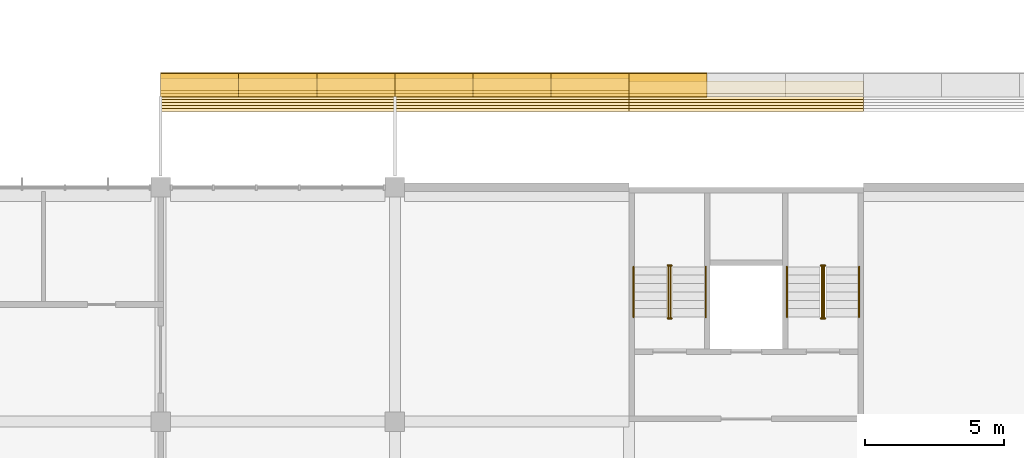
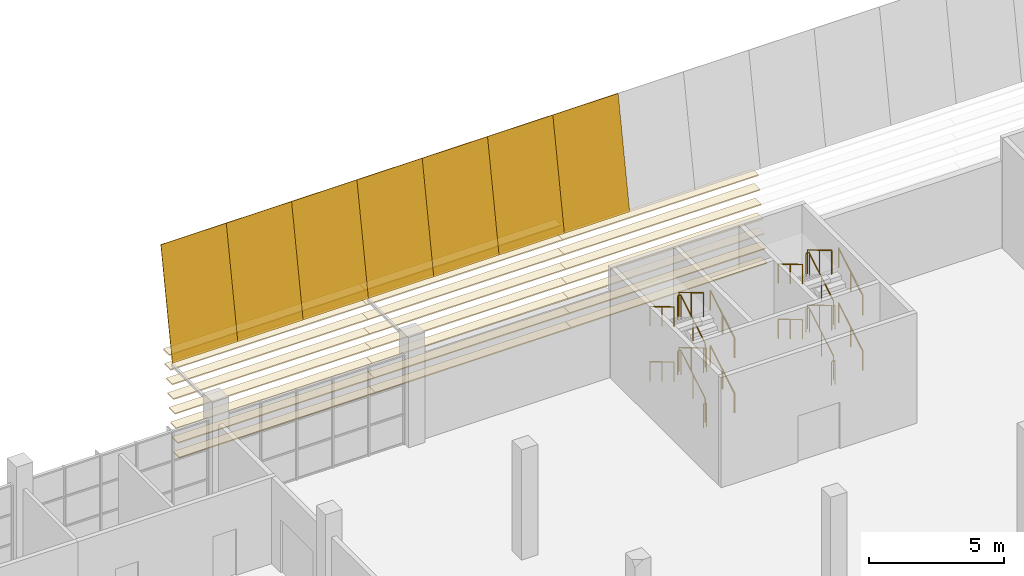
# One storey, part 74 of 82: 30 coverings, 24 railings.
"""IFC4 building model written with IfcOpenShell, lengths in metres."""

from ifc_helpers import new_model, si_unit, direction, frame, origin, origin_2d, place, context, subcontext, project, spatial, polyline, rectangle, circle, outline, extrude, material, layer, layer_set, material_profile, profile_set, type_object, element, save


model = new_model("IFC4")

# Units and contexts
model_context = context("Model", 3, precision=1e-05, world=origin(), true_north=direction((0.0, 1.0)))
body_context = subcontext(model_context, "Body", "Model", "MODEL_VIEW")
ifc_project = project(units=[si_unit("LENGTHUNIT", "METRE"), si_unit("AREAUNIT", "SQUARE_METRE"), si_unit("VOLUMEUNIT", "CUBIC_METRE"), si_unit("PLANEANGLEUNIT", "RADIAN"), si_unit("MASSUNIT", "GRAM", prefix="KILO")], contexts=[model_context])

# Site, building, storey
site_placement = place(None, origin())
site = spatial("IfcSite", under=ifc_project, at=site_placement, CompositionType="ELEMENT")
building_placement = place(site_placement, origin())
building = spatial("IfcBuilding", under=site, at=building_placement, Name="Almond Square Museum", CompositionType="ELEMENT")
storey_placement = place(building_placement, frame((0.0, 0.0, 20.0)))
storey = spatial("IfcBuildingStorey", under=building, at=storey_placement, Name="L03", CompositionType="ELEMENT", Elevation=20.0)

# Coverings
ifc_material_1 = material(Name="Cedar timber louvre board", Category="wood")
ifc_material_profile = material_profile(ifc_material_1, rectangle(XDim=0.449951171875, YDim=0.050048828125, at=origin_2d()))
ifc_profile_set = profile_set([ifc_material_profile], Name="Cedar timber louvre board")
covering_type_1 = type_object("IfcCoveringType", Name="Louvre board 450 x 50", PredefinedType="CLADDING", material=ifc_profile_set)
covering_1_placement = place(storey_placement, frame((106.800048828125, 112.1513671875, 0.5), z_axis=(1.0, 0.0, 0.0), x_axis=(0.0, 1.0, 0.0)))
element("IfcCovering", 1, at=covering_1_placement, inside=storey, type_object=covering_type_1, Name="Louvre board N23.01", PredefinedType="CLADDING", context=body_context, shape_type="SweptSolid", body=[
    extrude(rectangle(XDim=0.449951171875, YDim=0.050048828125, at=origin_2d()), origin(), (0.0, 0.0, 1.0), 8.39990234375),
])
covering_2_placement = place(storey_placement, frame((115.199951171875, 112.1513671875, 0.5), z_axis=(1.0, 0.0, 0.0), x_axis=(0.0, 1.0, 0.0)))
element("IfcCovering", 2, at=covering_2_placement, inside=storey, type_object=covering_type_1, Name="Louvre board N23.02", PredefinedType="CLADDING", context=body_context, shape_type="SweptSolid", body=[
    extrude(rectangle(XDim=0.449951171875, YDim=0.050048828125, at=origin_2d()), origin(), (0.0, 0.0, 1.0), 8.400146484375),
])
for number, where, z_axis, x_axis, name in (
    (3, (123.60009765625, 112.1513671875, 0.5), (1.0, 0.0, 0.0), (0.0, 1.0, 0.0), "Louvre board N23.03"),
    (4, (106.800048828125, 112.257080078125, 1.10009765625), (1.0, 0.0, 0.0), (0.0, 1.0, 0.0), "Louvre board N24.01"),
):
    element("IfcCovering", number, at=place(storey_placement, frame(where, z_axis=z_axis, x_axis=x_axis)), inside=storey, type_object=covering_type_1, Name=name, PredefinedType="CLADDING", context=body_context, shape_type="SweptSolid", body=[
        extrude(rectangle(XDim=0.449951171875, YDim=0.050048828125, at=origin_2d()), origin(), (0.0, 0.0, 1.0), 8.39990234375),
    ])
covering_3_placement = place(storey_placement, frame((115.199951171875, 112.257080078125, 1.10009765625), z_axis=(1.0, 0.0, 0.0), x_axis=(0.0, 1.0, 0.0)))
element("IfcCovering", 5, at=covering_3_placement, inside=storey, type_object=covering_type_1, Name="Louvre board N24.02", PredefinedType="CLADDING", context=body_context, shape_type="SweptSolid", body=[
    extrude(rectangle(XDim=0.449951171875, YDim=0.050048828125, at=origin_2d()), origin(), (0.0, 0.0, 1.0), 8.400146484375),
])
for number, where, z_axis, x_axis, name in (
    (6, (123.60009765625, 112.257080078125, 1.10009765625), (1.0, 0.0, 0.0), (0.0, 1.0, 0.0), "Louvre board N24.03"),
    (7, (106.800048828125, 112.363037109375, 1.699951171875), (1.0, 0.0, 0.0), (0.0, 1.0, 0.0), "Louvre board N25.01"),
):
    element("IfcCovering", number, at=place(storey_placement, frame(where, z_axis=z_axis, x_axis=x_axis)), inside=storey, type_object=covering_type_1, Name=name, PredefinedType="CLADDING", context=body_context, shape_type="SweptSolid", body=[
        extrude(rectangle(XDim=0.449951171875, YDim=0.050048828125, at=origin_2d()), origin(), (0.0, 0.0, 1.0), 8.39990234375),
    ])
covering_4_placement = place(storey_placement, frame((115.199951171875, 112.363037109375, 1.699951171875), z_axis=(1.0, 0.0, 0.0), x_axis=(0.0, 1.0, 0.0)))
element("IfcCovering", 8, at=covering_4_placement, inside=storey, type_object=covering_type_1, Name="Louvre board N25.02", PredefinedType="CLADDING", context=body_context, shape_type="SweptSolid", body=[
    extrude(rectangle(XDim=0.449951171875, YDim=0.050048828125, at=origin_2d()), origin(), (0.0, 0.0, 1.0), 8.400146484375),
])
for number, where, z_axis, x_axis, name in (
    (9, (123.60009765625, 112.363037109375, 1.699951171875), (1.0, 0.0, 0.0), (0.0, 1.0, 0.0), "Louvre board N25.03"),
    (10, (106.800048828125, 112.46875, 2.300048828125), (1.0, 0.0, 0.0), (0.0, 1.0, 0.0), "Louvre board N26.01"),
):
    element("IfcCovering", number, at=place(storey_placement, frame(where, z_axis=z_axis, x_axis=x_axis)), inside=storey, type_object=covering_type_1, Name=name, PredefinedType="CLADDING", context=body_context, shape_type="SweptSolid", body=[
        extrude(rectangle(XDim=0.449951171875, YDim=0.050048828125, at=origin_2d()), origin(), (0.0, 0.0, 1.0), 8.39990234375),
    ])
covering_5_placement = place(storey_placement, frame((115.199951171875, 112.46875, 2.300048828125), z_axis=(1.0, 0.0, 0.0), x_axis=(0.0, 1.0, 0.0)))
element("IfcCovering", 11, at=covering_5_placement, inside=storey, type_object=covering_type_1, Name="Louvre board N26.02", PredefinedType="CLADDING", context=body_context, shape_type="SweptSolid", body=[
    extrude(rectangle(XDim=0.449951171875, YDim=0.050048828125, at=origin_2d()), origin(), (0.0, 0.0, 1.0), 8.400146484375),
])
for number, where, z_axis, x_axis, name in (
    (12, (123.60009765625, 112.46875, 2.300048828125), (1.0, 0.0, 0.0), (0.0, 1.0, 0.0), "Louvre board N26.03"),
    (13, (106.800048828125, 112.574462890625, 2.89990234375), (1.0, 0.0, 0.0), (0.0, 1.0, 0.0), "Louvre board N27.01"),
):
    element("IfcCovering", number, at=place(storey_placement, frame(where, z_axis=z_axis, x_axis=x_axis)), inside=storey, type_object=covering_type_1, Name=name, PredefinedType="CLADDING", context=body_context, shape_type="SweptSolid", body=[
        extrude(rectangle(XDim=0.449951171875, YDim=0.050048828125, at=origin_2d()), origin(), (0.0, 0.0, 1.0), 8.39990234375),
    ])
covering_6_placement = place(storey_placement, frame((115.199951171875, 112.574462890625, 2.89990234375), z_axis=(1.0, 0.0, 0.0), x_axis=(0.0, 1.0, 0.0)))
element("IfcCovering", 14, at=covering_6_placement, inside=storey, type_object=covering_type_1, Name="Louvre board N27.02", PredefinedType="CLADDING", context=body_context, shape_type="SweptSolid", body=[
    extrude(rectangle(XDim=0.449951171875, YDim=0.050048828125, at=origin_2d()), origin(), (0.0, 0.0, 1.0), 8.400146484375),
])
for number, where, z_axis, x_axis, name in (
    (15, (123.60009765625, 112.574462890625, 2.89990234375), (1.0, 0.0, 0.0), (0.0, 1.0, 0.0), "Louvre board N27.03"),
    (16, (106.800048828125, 112.680419921875, 3.5), (1.0, 0.0, 0.0), (0.0, 1.0, 0.0), "Louvre board N28.01"),
):
    element("IfcCovering", number, at=place(storey_placement, frame(where, z_axis=z_axis, x_axis=x_axis)), inside=storey, type_object=covering_type_1, Name=name, PredefinedType="CLADDING", context=body_context, shape_type="SweptSolid", body=[
        extrude(rectangle(XDim=0.449951171875, YDim=0.050048828125, at=origin_2d()), origin(), (0.0, 0.0, 1.0), 8.39990234375),
    ])
covering_7_placement = place(storey_placement, frame((115.199951171875, 112.680419921875, 3.5), z_axis=(1.0, 0.0, 0.0), x_axis=(0.0, 1.0, 0.0)))
element("IfcCovering", 17, at=covering_7_placement, inside=storey, type_object=covering_type_1, Name="Louvre board N28.02", PredefinedType="CLADDING", context=body_context, shape_type="SweptSolid", body=[
    extrude(rectangle(XDim=0.449951171875, YDim=0.050048828125, at=origin_2d()), origin(), (0.0, 0.0, 1.0), 8.400146484375),
])
for number, where, z_axis, x_axis, name in (
    (18, (123.60009765625, 112.680419921875, 3.5), (1.0, 0.0, 0.0), (0.0, 1.0, 0.0), "Louvre board N28.03"),
    (19, (106.800048828125, 112.7861328125, 4.10009765625), (1.0, 0.0, 0.0), (0.0, 1.0, 0.0), "Louvre board N29.01"),
):
    element("IfcCovering", number, at=place(storey_placement, frame(where, z_axis=z_axis, x_axis=x_axis)), inside=storey, type_object=covering_type_1, Name=name, PredefinedType="CLADDING", context=body_context, shape_type="SweptSolid", body=[
        extrude(rectangle(XDim=0.449951171875, YDim=0.050048828125, at=origin_2d()), origin(), (0.0, 0.0, 1.0), 8.39990234375),
    ])
covering_8_placement = place(storey_placement, frame((115.199951171875, 112.7861328125, 4.10009765625), z_axis=(1.0, 0.0, 0.0), x_axis=(0.0, 1.0, 0.0)))
element("IfcCovering", 20, at=covering_8_placement, inside=storey, type_object=covering_type_1, Name="Louvre board N29.02", PredefinedType="CLADDING", context=body_context, shape_type="SweptSolid", body=[
    extrude(rectangle(XDim=0.449951171875, YDim=0.050048828125, at=origin_2d()), origin(), (0.0, 0.0, 1.0), 8.400146484375),
])
for number, where, z_axis, x_axis, name in (
    (21, (123.60009765625, 112.7861328125, 4.10009765625), (1.0, 0.0, 0.0), (0.0, 1.0, 0.0), "Louvre board N29.03"),
    (22, (106.800048828125, 112.891845703125, 4.699951171875), (1.0, 0.0, 0.0), (0.0, 1.0, 0.0), "Louvre board N30.01"),
):
    element("IfcCovering", number, at=place(storey_placement, frame(where, z_axis=z_axis, x_axis=x_axis)), inside=storey, type_object=covering_type_1, Name=name, PredefinedType="CLADDING", context=body_context, shape_type="SweptSolid", body=[
        extrude(rectangle(XDim=0.449951171875, YDim=0.050048828125, at=origin_2d()), origin(), (0.0, 0.0, 1.0), 8.39990234375),
    ])
covering_9_placement = place(storey_placement, frame((115.199951171875, 112.891845703125, 4.699951171875), z_axis=(1.0, 0.0, 0.0), x_axis=(0.0, 1.0, 0.0)))
element("IfcCovering", 23, at=covering_9_placement, inside=storey, type_object=covering_type_1, Name="Louvre board N30.02", PredefinedType="CLADDING", context=body_context, shape_type="SweptSolid", body=[
    extrude(rectangle(XDim=0.449951171875, YDim=0.050048828125, at=origin_2d()), origin(), (0.0, 0.0, 1.0), 8.400146484375),
])
ifc_material_2 = material(Name="Cedar timber sheathing panel", Category="wood")
ifc_layer = layer(ifc_material_2, 0.030029296875)
ifc_layer_set = layer_set([ifc_layer], Name="Cedar timber sheathing panel")
covering_type_2 = type_object("IfcCoveringType", Name="Louvre rain-screen backing panel 30", PredefinedType="CLADDING", material=ifc_layer_set)
covering_10_placement = place(storey_placement, frame((106.800048828125, 112.4462890625, 4.469970703125), z_axis=(0.0, -0.984808947576, 0.173641402823), x_axis=(1.0, 0.0, 0.0)))
element("IfcCovering", 24, at=covering_10_placement, inside=storey, type_object=covering_type_2, Name="Louvre rain-screen backing panel N01.06", PredefinedType="CLADDING", context=body_context, shape_type="SweptSolid", body=[
    extrude(outline(polyline([(0.0, 0.0), (2.800048828125, 0.0), (2.800048828125, 4.935076426587713), (0.0, 4.935076426587713), (0.0, 0.0)])), frame((0.0, 0.0, -0.01513671875)), (0.0, 0.0, 1.0), 0.030029296875),
])
covering_11_placement = place(storey_placement, frame((109.60009765625, 112.4462890625, 4.469970703125), z_axis=(0.0, -0.984808947576, 0.173641402823), x_axis=(1.0, 0.0, 0.0)))
element("IfcCovering", 25, at=covering_11_placement, inside=storey, type_object=covering_type_2, Name="Louvre rain-screen backing panel N02.06", PredefinedType="CLADDING", context=body_context, shape_type="SweptSolid", body=[
    extrude(outline(polyline([(0.0, 0.0), (2.7998046875, 0.0), (2.7998046875, 4.935076426587713), (0.0, 4.935076426587713), (0.0, 0.0)])), frame((0.0, 0.0, -0.01513671875)), (0.0, 0.0, 1.0), 0.030029296875),
])
for number, where, z_axis, x_axis, name in (
    (26, (112.39990234375, 112.4462890625, 4.469970703125), (0.0, -0.984808947576, 0.173641402823), (1.0, 0.0, 0.0), "Louvre rain-screen backing panel N03.06"),
    (27, (115.199951171875, 112.4462890625, 4.469970703125), (0.0, -0.984808947576, 0.173641402823), (1.0, 0.0, 0.0), "Louvre rain-screen backing panel N04.06"),
    (28, (118.0, 112.4462890625, 4.469970703125), (0.0, -0.984808947576, 0.173641402823), (1.0, 0.0, 0.0), "Louvre rain-screen backing panel N05.06"),
    (29, (120.800048828125, 112.4462890625, 4.469970703125), (0.0, -0.984808947576, 0.173641402823), (1.0, 0.0, 0.0), "Louvre rain-screen backing panel N06.06"),
):
    element("IfcCovering", number, at=place(storey_placement, frame(where, z_axis=z_axis, x_axis=x_axis)), inside=storey, type_object=covering_type_2, Name=name, PredefinedType="CLADDING", context=body_context, shape_type="SweptSolid", body=[
        extrude(outline(polyline([(0.0, 0.0), (2.800048828125, 0.0), (2.800048828125, 4.935076426587713), (0.0, 4.935076426587713), (0.0, 0.0)])), frame((0.0, 0.0, -0.01513671875)), (0.0, 0.0, 1.0), 0.030029296875),
    ])
covering_12_placement = place(storey_placement, frame((123.60009765625, 112.4462890625, 4.469970703125), z_axis=(0.0, -0.984808947576, 0.173641402823), x_axis=(1.0, 0.0, 0.0)))
element("IfcCovering", 30, at=covering_12_placement, inside=storey, type_object=covering_type_2, Name="Louvre rain-screen backing panel N07.06", PredefinedType="CLADDING", context=body_context, shape_type="SweptSolid", body=[
    extrude(outline(polyline([(0.0, 0.0), (2.7998046875, 0.0), (2.7998046875, 4.935076426587713), (0.0, 4.935076426587713), (0.0, 0.0)])), frame((0.0, 0.0, -0.01513671875)), (0.0, 0.0, 1.0), 0.030029296875),
])

# Railings
ifc_material_3 = material(Name="Stainless steel and laminated glass", Category="steel")
railing_type_1 = type_object("IfcRailingType", Name="Stair guard 1100 steel and glass", PredefinedType="GUARDRAIL", material=ifc_material_3)
railing_1_placement = place(storey_placement, frame((125.090087890625, 104.550048828125, 0.178466796875)))
element("IfcRailing", 31, at=railing_1_placement, inside=storey, type_object=railing_type_1, Name="L03 ST-07 stair guard 1", PredefinedType="GUARDRAIL", context=body_context, shape_type="SweptSolid", body=[
    extrude(circle(Radius=0.02392578125, at=origin_2d()), frame((0.0, 0.0, 1.076171875), z_axis=(0.0, 0.859277029364, 0.511510495305), x_axis=(-1.0, 0.0, 0.0)), (0.0, 0.0, 1.0), 2.0947265625),
    extrude(circle(Radius=0.02099609375, at=origin_2d()), origin(), (0.0, 0.0, 1.0), 1.052001953125),
    extrude(circle(Radius=0.02099609375, at=origin_2d()), frame((0.0, 0.89990234375, 0.53564453125)), (0.0, 0.0, 1.0), 1.052001953125),
    extrude(circle(Radius=0.02099609375, at=origin_2d()), frame((0.0, 1.800048828125, 1.071533203125)), (0.0, 0.0, 1.0), 1.052001953125),
])
railing_2_placement = place(storey_placement, frame((125.1201171875, 106.39990234375, 1.25)))
element("IfcRailing", 32, at=railing_2_placement, inside=storey, type_object=railing_type_1, Name="L03 ST-07 stair guard 2", PredefinedType="GUARDRAIL", context=body_context, shape_type="SweptSolid", body=[
    extrude(circle(Radius=0.02392578125, at=origin_2d()), frame((0.0, 0.0, 1.076171875), z_axis=(-1.0, 0.0, 0.0), x_axis=(0.0, -1.0, 0.0)), (0.0, 0.0, 1.0), 0.14013671875),
    extrude(circle(Radius=0.02099609375, at=origin_2d()), origin(), (0.0, 0.0, 1.0), 1.052001953125),
    extrude(circle(Radius=0.02099609375, at=origin_2d()), frame((-0.14013671875, 0.0, 0.0)), (0.0, 0.0, 1.0), 1.052001953125),
])
railing_3_placement = place(storey_placement, frame((125.010009765625, 106.35009765625, 1.428466796875)))
element("IfcRailing", 33, at=railing_3_placement, inside=storey, type_object=railing_type_1, Name="L03 ST-07 stair guard 3", PredefinedType="GUARDRAIL", context=body_context, shape_type="SweptSolid", body=[
    extrude(circle(Radius=0.02392578125, at=origin_2d()), frame((0.0, 0.0, 1.076171875), z_axis=(0.0, -0.859277029364, 0.511510495305), x_axis=(1.0, 0.0, 0.0)), (0.0, 0.0, 1.0), 2.0947265625),
    extrude(circle(Radius=0.02099609375, at=origin_2d()), origin(), (0.0, 0.0, 1.0), 1.052001953125),
    extrude(circle(Radius=0.02099609375, at=origin_2d()), frame((0.0, -0.89990234375, 0.53564453125)), (0.0, 0.0, 1.0), 1.052001953125),
    extrude(circle(Radius=0.02099609375, at=origin_2d()), frame((0.0, -1.800048828125, 1.071533203125)), (0.0, 0.0, 1.0), 1.052001953125),
])
railing_4_placement = place(storey_placement, frame((125.1201171875, 104.5, 2.5)))
element("IfcRailing", 34, at=railing_4_placement, inside=storey, type_object=railing_type_1, Name="L03 ST-07 stair guard 4", PredefinedType="GUARDRAIL", context=body_context, shape_type="SweptSolid", body=[
    extrude(circle(Radius=0.02392578125, at=origin_2d()), frame((0.0, 0.0, 1.076171875), z_axis=(-1.0, 0.0, 0.0), x_axis=(0.0, -1.0, 0.0)), (0.0, 0.0, 1.0), 0.14013671875),
    extrude(circle(Radius=0.02099609375, at=origin_2d()), origin(), (0.0, 0.0, 1.0), 1.052001953125),
    extrude(circle(Radius=0.02099609375, at=origin_2d()), frame((-0.14013671875, 0.0, 0.0)), (0.0, 0.0, 1.0), 1.052001953125),
])
railing_5_placement = place(storey_placement, frame((125.090087890625, 104.550048828125, 2.678466796875)))
element("IfcRailing", 35, at=railing_5_placement, inside=storey, type_object=railing_type_1, Name="L03 ST-07 stair guard 5", PredefinedType="GUARDRAIL", context=body_context, shape_type="SweptSolid", body=[
    extrude(circle(Radius=0.02392578125, at=origin_2d()), frame((0.0, 0.0, 1.076171875), z_axis=(0.0, 0.859277029364, 0.511510495305), x_axis=(-1.0, 0.0, 0.0)), (0.0, 0.0, 1.0), 2.0947265625),
    extrude(circle(Radius=0.02099609375, at=origin_2d()), origin(), (0.0, 0.0, 1.0), 1.052001953125),
    extrude(circle(Radius=0.02099609375, at=origin_2d()), frame((0.0, 0.89990234375, 0.53564453125)), (0.0, 0.0, 1.0), 1.052001953125),
    extrude(circle(Radius=0.02099609375, at=origin_2d()), frame((0.0, 1.800048828125, 1.071533203125)), (0.0, 0.0, 1.0), 1.052001953125),
])
railing_6_placement = place(storey_placement, frame((125.1201171875, 106.39990234375, 3.75)))
element("IfcRailing", 36, at=railing_6_placement, inside=storey, type_object=railing_type_1, Name="L03 ST-07 stair guard 6", PredefinedType="GUARDRAIL", context=body_context, shape_type="SweptSolid", body=[
    extrude(circle(Radius=0.02392578125, at=origin_2d()), frame((0.0, 0.0, 1.076171875), z_axis=(-1.0, 0.0, 0.0), x_axis=(0.0, -1.0, 0.0)), (0.0, 0.0, 1.0), 0.14013671875),
    extrude(circle(Radius=0.02099609375, at=origin_2d()), origin(), (0.0, 0.0, 1.0), 1.052001953125),
    extrude(circle(Radius=0.02099609375, at=origin_2d()), frame((-0.14013671875, 0.0, 0.0)), (0.0, 0.0, 1.0), 1.052001953125),
])
railing_7_placement = place(storey_placement, frame((125.010009765625, 106.35009765625, 3.928466796875)))
element("IfcRailing", 37, at=railing_7_placement, inside=storey, type_object=railing_type_1, Name="L03 ST-07 stair guard 7", PredefinedType="GUARDRAIL", context=body_context, shape_type="SweptSolid", body=[
    extrude(circle(Radius=0.02392578125, at=origin_2d()), frame((0.0, 0.0, 1.076171875), z_axis=(0.0, -0.859277029364, 0.511510495305), x_axis=(1.0, 0.0, 0.0)), (0.0, 0.0, 1.0), 2.0947265625),
    extrude(circle(Radius=0.02099609375, at=origin_2d()), origin(), (0.0, 0.0, 1.0), 1.052001953125),
    extrude(circle(Radius=0.02099609375, at=origin_2d()), frame((0.0, -0.89990234375, 0.53564453125)), (0.0, 0.0, 1.0), 1.052001953125),
    extrude(circle(Radius=0.02099609375, at=origin_2d()), frame((0.0, -1.800048828125, 1.071533203125)), (0.0, 0.0, 1.0), 1.052001953125),
])
railing_8_placement = place(storey_placement, frame((125.1201171875, 104.5, 0.0)))
element("IfcRailing", 38, at=railing_8_placement, inside=storey, type_object=railing_type_1, Name="L03 ST-07 stair guard 8", PredefinedType="GUARDRAIL", context=body_context, shape_type="SweptSolid", body=[
    extrude(circle(Radius=0.02392578125, at=origin_2d()), frame((0.0, 0.0, 1.076171875), z_axis=(-1.0, 0.0, 0.0), x_axis=(0.0, -1.0, 0.0)), (0.0, 0.0, 1.0), 0.14013671875),
    extrude(circle(Radius=0.02099609375, at=origin_2d()), origin(), (0.0, 0.0, 1.0), 1.052001953125),
    extrude(circle(Radius=0.02099609375, at=origin_2d()), frame((-0.14013671875, 0.0, 0.0)), (0.0, 0.0, 1.0), 1.052001953125),
])
railing_9_placement = place(storey_placement, frame((130.590087890625, 104.550048828125, 0.178466796875)))
element("IfcRailing", 39, at=railing_9_placement, inside=storey, type_object=railing_type_1, Name="L03 ST-08 stair guard 1", PredefinedType="GUARDRAIL", context=body_context, shape_type="SweptSolid", body=[
    extrude(circle(Radius=0.02392578125, at=origin_2d()), frame((0.0, 0.0, 1.076171875), z_axis=(0.0, 0.859277029364, 0.511510495305), x_axis=(-1.0, 0.0, 0.0)), (0.0, 0.0, 1.0), 2.0947265625),
    extrude(circle(Radius=0.02099609375, at=origin_2d()), origin(), (0.0, 0.0, 1.0), 1.052001953125),
    extrude(circle(Radius=0.02099609375, at=origin_2d()), frame((0.0, 0.89990234375, 0.53564453125)), (0.0, 0.0, 1.0), 1.052001953125),
    extrude(circle(Radius=0.02099609375, at=origin_2d()), frame((0.0, 1.800048828125, 1.071533203125)), (0.0, 0.0, 1.0), 1.052001953125),
])
railing_10_placement = place(storey_placement, frame((130.6201171875, 106.39990234375, 1.25)))
element("IfcRailing", 40, at=railing_10_placement, inside=storey, type_object=railing_type_1, Name="L03 ST-08 stair guard 2", PredefinedType="GUARDRAIL", context=body_context, shape_type="SweptSolid", body=[
    extrude(circle(Radius=0.02392578125, at=origin_2d()), frame((0.0, 0.0, 1.076171875), z_axis=(-1.0, 0.0, 0.0), x_axis=(0.0, -1.0, 0.0)), (0.0, 0.0, 1.0), 0.14013671875),
    extrude(circle(Radius=0.02099609375, at=origin_2d()), origin(), (0.0, 0.0, 1.0), 1.052001953125),
    extrude(circle(Radius=0.02099609375, at=origin_2d()), frame((-0.14013671875, 0.0, 0.0)), (0.0, 0.0, 1.0), 1.052001953125),
])
railing_11_placement = place(storey_placement, frame((130.510009765625, 106.35009765625, 1.428466796875)))
element("IfcRailing", 41, at=railing_11_placement, inside=storey, type_object=railing_type_1, Name="L03 ST-08 stair guard 3", PredefinedType="GUARDRAIL", context=body_context, shape_type="SweptSolid", body=[
    extrude(circle(Radius=0.02392578125, at=origin_2d()), frame((0.0, 0.0, 1.076171875), z_axis=(0.0, -0.859277029364, 0.511510495305), x_axis=(1.0, 0.0, 0.0)), (0.0, 0.0, 1.0), 2.0947265625),
    extrude(circle(Radius=0.02099609375, at=origin_2d()), origin(), (0.0, 0.0, 1.0), 1.052001953125),
    extrude(circle(Radius=0.02099609375, at=origin_2d()), frame((0.0, -0.89990234375, 0.53564453125)), (0.0, 0.0, 1.0), 1.052001953125),
    extrude(circle(Radius=0.02099609375, at=origin_2d()), frame((0.0, -1.800048828125, 1.071533203125)), (0.0, 0.0, 1.0), 1.052001953125),
])
railing_12_placement = place(storey_placement, frame((130.6201171875, 104.5, 2.5)))
element("IfcRailing", 42, at=railing_12_placement, inside=storey, type_object=railing_type_1, Name="L03 ST-08 stair guard 4", PredefinedType="GUARDRAIL", context=body_context, shape_type="SweptSolid", body=[
    extrude(circle(Radius=0.02392578125, at=origin_2d()), frame((0.0, 0.0, 1.076171875), z_axis=(-1.0, 0.0, 0.0), x_axis=(0.0, -1.0, 0.0)), (0.0, 0.0, 1.0), 0.14013671875),
    extrude(circle(Radius=0.02099609375, at=origin_2d()), origin(), (0.0, 0.0, 1.0), 1.052001953125),
    extrude(circle(Radius=0.02099609375, at=origin_2d()), frame((-0.14013671875, 0.0, 0.0)), (0.0, 0.0, 1.0), 1.052001953125),
])
railing_13_placement = place(storey_placement, frame((130.590087890625, 104.550048828125, 2.678466796875)))
element("IfcRailing", 43, at=railing_13_placement, inside=storey, type_object=railing_type_1, Name="L03 ST-08 stair guard 5", PredefinedType="GUARDRAIL", context=body_context, shape_type="SweptSolid", body=[
    extrude(circle(Radius=0.02392578125, at=origin_2d()), frame((0.0, 0.0, 1.076171875), z_axis=(0.0, 0.859277029364, 0.511510495305), x_axis=(-1.0, 0.0, 0.0)), (0.0, 0.0, 1.0), 2.0947265625),
    extrude(circle(Radius=0.02099609375, at=origin_2d()), origin(), (0.0, 0.0, 1.0), 1.052001953125),
    extrude(circle(Radius=0.02099609375, at=origin_2d()), frame((0.0, 0.89990234375, 0.53564453125)), (0.0, 0.0, 1.0), 1.052001953125),
    extrude(circle(Radius=0.02099609375, at=origin_2d()), frame((0.0, 1.800048828125, 1.071533203125)), (0.0, 0.0, 1.0), 1.052001953125),
])
railing_14_placement = place(storey_placement, frame((130.6201171875, 106.39990234375, 3.75)))
element("IfcRailing", 44, at=railing_14_placement, inside=storey, type_object=railing_type_1, Name="L03 ST-08 stair guard 6", PredefinedType="GUARDRAIL", context=body_context, shape_type="SweptSolid", body=[
    extrude(circle(Radius=0.02392578125, at=origin_2d()), frame((0.0, 0.0, 1.076171875), z_axis=(-1.0, 0.0, 0.0), x_axis=(0.0, -1.0, 0.0)), (0.0, 0.0, 1.0), 0.14013671875),
    extrude(circle(Radius=0.02099609375, at=origin_2d()), origin(), (0.0, 0.0, 1.0), 1.052001953125),
    extrude(circle(Radius=0.02099609375, at=origin_2d()), frame((-0.14013671875, 0.0, 0.0)), (0.0, 0.0, 1.0), 1.052001953125),
])
railing_15_placement = place(storey_placement, frame((130.510009765625, 106.35009765625, 3.928466796875)))
element("IfcRailing", 45, at=railing_15_placement, inside=storey, type_object=railing_type_1, Name="L03 ST-08 stair guard 7", PredefinedType="GUARDRAIL", context=body_context, shape_type="SweptSolid", body=[
    extrude(circle(Radius=0.02392578125, at=origin_2d()), frame((0.0, 0.0, 1.076171875), z_axis=(0.0, -0.859277029364, 0.511510495305), x_axis=(1.0, 0.0, 0.0)), (0.0, 0.0, 1.0), 2.0947265625),
    extrude(circle(Radius=0.02099609375, at=origin_2d()), origin(), (0.0, 0.0, 1.0), 1.052001953125),
    extrude(circle(Radius=0.02099609375, at=origin_2d()), frame((0.0, -0.89990234375, 0.53564453125)), (0.0, 0.0, 1.0), 1.052001953125),
    extrude(circle(Radius=0.02099609375, at=origin_2d()), frame((0.0, -1.800048828125, 1.071533203125)), (0.0, 0.0, 1.0), 1.052001953125),
])
railing_16_placement = place(storey_placement, frame((130.6201171875, 104.5, 0.0)))
element("IfcRailing", 46, at=railing_16_placement, inside=storey, type_object=railing_type_1, Name="L03 ST-08 stair guard 8", PredefinedType="GUARDRAIL", context=body_context, shape_type="SweptSolid", body=[
    extrude(circle(Radius=0.02392578125, at=origin_2d()), frame((0.0, 0.0, 1.076171875), z_axis=(-1.0, 0.0, 0.0), x_axis=(0.0, -1.0, 0.0)), (0.0, 0.0, 1.0), 0.14013671875),
    extrude(circle(Radius=0.02099609375, at=origin_2d()), origin(), (0.0, 0.0, 1.0), 1.052001953125),
    extrude(circle(Radius=0.02099609375, at=origin_2d()), frame((-0.14013671875, 0.0, 0.0)), (0.0, 0.0, 1.0), 1.052001953125),
])
ifc_material_4 = material(Name="Stainless steel", Category="steel")
railing_type_2 = type_object("IfcRailingType", Name="Stair handrail 900 steel", PredefinedType="HANDRAIL", material=ifc_material_4)
railing_17_placement = place(storey_placement, frame((126.344970703125, 104.550048828125, 0.178466796875)))
element("IfcRailing", 47, at=railing_17_placement, inside=storey, type_object=railing_type_2, Name="L03 ST-07 stair handrail 1", PredefinedType="HANDRAIL", context=body_context, shape_type="SweptSolid", body=[
    extrude(circle(Radius=0.02392578125, at=origin_2d()), frame((0.0, 0.0, 0.8759765625), z_axis=(0.0, 0.859277029364, 0.511510495305), x_axis=(-1.0, 0.0, 0.0)), (0.0, 0.0, 1.0), 2.0947265625),
    extrude(circle(Radius=0.02099609375, at=origin_2d()), origin(), (0.0, 0.0, 1.0), 0.851806640625),
    extrude(circle(Radius=0.02099609375, at=origin_2d()), frame((0.0, 0.89990234375, 0.53564453125)), (0.0, 0.0, 1.0), 0.851806640625),
    extrude(circle(Radius=0.02099609375, at=origin_2d()), frame((0.0, 1.800048828125, 1.071533203125)), (0.0, 0.0, 1.0), 0.851806640625),
])
railing_18_placement = place(storey_placement, frame((123.7548828125, 106.35009765625, 1.428466796875)))
element("IfcRailing", 48, at=railing_18_placement, inside=storey, type_object=railing_type_2, Name="L03 ST-07 stair handrail 2", PredefinedType="HANDRAIL", context=body_context, shape_type="SweptSolid", body=[
    extrude(circle(Radius=0.02392578125, at=origin_2d()), frame((0.0, 0.0, 0.8759765625), z_axis=(0.0, -0.859277029364, 0.511510495305), x_axis=(1.0, 0.0, 0.0)), (0.0, 0.0, 1.0), 2.0947265625),
    extrude(circle(Radius=0.02099609375, at=origin_2d()), origin(), (0.0, 0.0, 1.0), 0.851806640625),
    extrude(circle(Radius=0.02099609375, at=origin_2d()), frame((0.0, -0.89990234375, 0.53564453125)), (0.0, 0.0, 1.0), 0.851806640625),
    extrude(circle(Radius=0.02099609375, at=origin_2d()), frame((0.0, -1.800048828125, 1.071533203125)), (0.0, 0.0, 1.0), 0.851806640625),
])
railing_19_placement = place(storey_placement, frame((126.344970703125, 104.550048828125, 2.678466796875)))
element("IfcRailing", 49, at=railing_19_placement, inside=storey, type_object=railing_type_2, Name="L03 ST-07 stair handrail 3", PredefinedType="HANDRAIL", context=body_context, shape_type="SweptSolid", body=[
    extrude(circle(Radius=0.02392578125, at=origin_2d()), frame((0.0, 0.0, 0.8759765625), z_axis=(0.0, 0.859277029364, 0.511510495305), x_axis=(-1.0, 0.0, 0.0)), (0.0, 0.0, 1.0), 2.0947265625),
    extrude(circle(Radius=0.02099609375, at=origin_2d()), origin(), (0.0, 0.0, 1.0), 0.851806640625),
    extrude(circle(Radius=0.02099609375, at=origin_2d()), frame((0.0, 0.89990234375, 0.53564453125)), (0.0, 0.0, 1.0), 0.851806640625),
    extrude(circle(Radius=0.02099609375, at=origin_2d()), frame((0.0, 1.800048828125, 1.071533203125)), (0.0, 0.0, 1.0), 0.851806640625),
])
railing_20_placement = place(storey_placement, frame((123.7548828125, 106.35009765625, 3.928466796875)))
element("IfcRailing", 50, at=railing_20_placement, inside=storey, type_object=railing_type_2, Name="L03 ST-07 stair handrail 4", PredefinedType="HANDRAIL", context=body_context, shape_type="SweptSolid", body=[
    extrude(circle(Radius=0.02392578125, at=origin_2d()), frame((0.0, 0.0, 0.8759765625), z_axis=(0.0, -0.859277029364, 0.511510495305), x_axis=(1.0, 0.0, 0.0)), (0.0, 0.0, 1.0), 2.0947265625),
    extrude(circle(Radius=0.02099609375, at=origin_2d()), origin(), (0.0, 0.0, 1.0), 0.851806640625),
    extrude(circle(Radius=0.02099609375, at=origin_2d()), frame((0.0, -0.89990234375, 0.53564453125)), (0.0, 0.0, 1.0), 0.851806640625),
    extrude(circle(Radius=0.02099609375, at=origin_2d()), frame((0.0, -1.800048828125, 1.071533203125)), (0.0, 0.0, 1.0), 0.851806640625),
])
railing_21_placement = place(storey_placement, frame((131.844970703125, 104.550048828125, 0.178466796875)))
element("IfcRailing", 51, at=railing_21_placement, inside=storey, type_object=railing_type_2, Name="L03 ST-08 stair handrail 1", PredefinedType="HANDRAIL", context=body_context, shape_type="SweptSolid", body=[
    extrude(circle(Radius=0.02392578125, at=origin_2d()), frame((0.0, 0.0, 0.8759765625), z_axis=(0.0, 0.859277029364, 0.511510495305), x_axis=(-1.0, 0.0, 0.0)), (0.0, 0.0, 1.0), 2.0947265625),
    extrude(circle(Radius=0.02099609375, at=origin_2d()), origin(), (0.0, 0.0, 1.0), 0.851806640625),
    extrude(circle(Radius=0.02099609375, at=origin_2d()), frame((0.0, 0.89990234375, 0.53564453125)), (0.0, 0.0, 1.0), 0.851806640625),
    extrude(circle(Radius=0.02099609375, at=origin_2d()), frame((0.0, 1.800048828125, 1.071533203125)), (0.0, 0.0, 1.0), 0.851806640625),
])
railing_22_placement = place(storey_placement, frame((129.2548828125, 106.35009765625, 1.428466796875)))
element("IfcRailing", 52, at=railing_22_placement, inside=storey, type_object=railing_type_2, Name="L03 ST-08 stair handrail 2", PredefinedType="HANDRAIL", context=body_context, shape_type="SweptSolid", body=[
    extrude(circle(Radius=0.02392578125, at=origin_2d()), frame((0.0, 0.0, 0.8759765625), z_axis=(0.0, -0.859277029364, 0.511510495305), x_axis=(1.0, 0.0, 0.0)), (0.0, 0.0, 1.0), 2.0947265625),
    extrude(circle(Radius=0.02099609375, at=origin_2d()), origin(), (0.0, 0.0, 1.0), 0.851806640625),
    extrude(circle(Radius=0.02099609375, at=origin_2d()), frame((0.0, -0.89990234375, 0.53564453125)), (0.0, 0.0, 1.0), 0.851806640625),
    extrude(circle(Radius=0.02099609375, at=origin_2d()), frame((0.0, -1.800048828125, 1.071533203125)), (0.0, 0.0, 1.0), 0.851806640625),
])
railing_23_placement = place(storey_placement, frame((131.844970703125, 104.550048828125, 2.678466796875)))
element("IfcRailing", 53, at=railing_23_placement, inside=storey, type_object=railing_type_2, Name="L03 ST-08 stair handrail 3", PredefinedType="HANDRAIL", context=body_context, shape_type="SweptSolid", body=[
    extrude(circle(Radius=0.02392578125, at=origin_2d()), frame((0.0, 0.0, 0.8759765625), z_axis=(0.0, 0.859277029364, 0.511510495305), x_axis=(-1.0, 0.0, 0.0)), (0.0, 0.0, 1.0), 2.0947265625),
    extrude(circle(Radius=0.02099609375, at=origin_2d()), origin(), (0.0, 0.0, 1.0), 0.851806640625),
    extrude(circle(Radius=0.02099609375, at=origin_2d()), frame((0.0, 0.89990234375, 0.53564453125)), (0.0, 0.0, 1.0), 0.851806640625),
    extrude(circle(Radius=0.02099609375, at=origin_2d()), frame((0.0, 1.800048828125, 1.071533203125)), (0.0, 0.0, 1.0), 0.851806640625),
])
railing_24_placement = place(storey_placement, frame((129.2548828125, 106.35009765625, 3.928466796875)))
element("IfcRailing", 54, at=railing_24_placement, inside=storey, type_object=railing_type_2, Name="L03 ST-08 stair handrail 4", PredefinedType="HANDRAIL", context=body_context, shape_type="SweptSolid", body=[
    extrude(circle(Radius=0.02392578125, at=origin_2d()), frame((0.0, 0.0, 0.8759765625), z_axis=(0.0, -0.859277029364, 0.511510495305), x_axis=(1.0, 0.0, 0.0)), (0.0, 0.0, 1.0), 2.0947265625),
    extrude(circle(Radius=0.02099609375, at=origin_2d()), origin(), (0.0, 0.0, 1.0), 0.851806640625),
    extrude(circle(Radius=0.02099609375, at=origin_2d()), frame((0.0, -0.89990234375, 0.53564453125)), (0.0, 0.0, 1.0), 0.851806640625),
    extrude(circle(Radius=0.02099609375, at=origin_2d()), frame((0.0, -1.800048828125, 1.071533203125)), (0.0, 0.0, 1.0), 0.851806640625),
])

save(model, "model.ifc")
